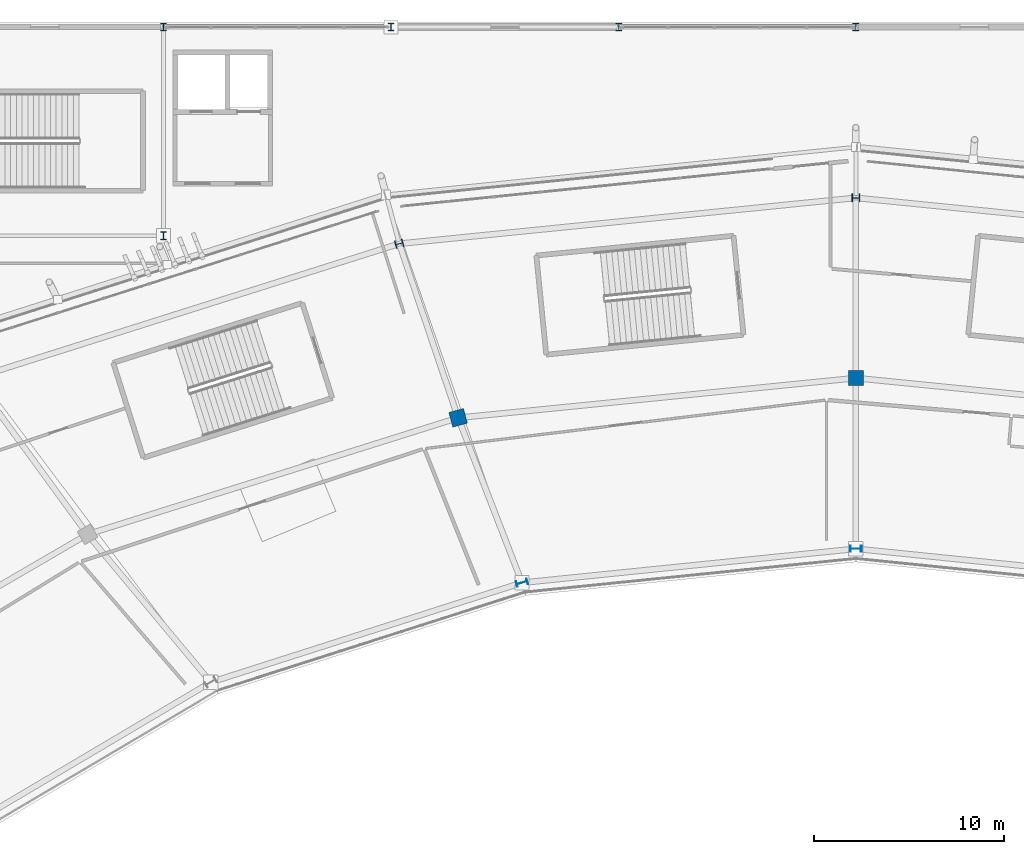
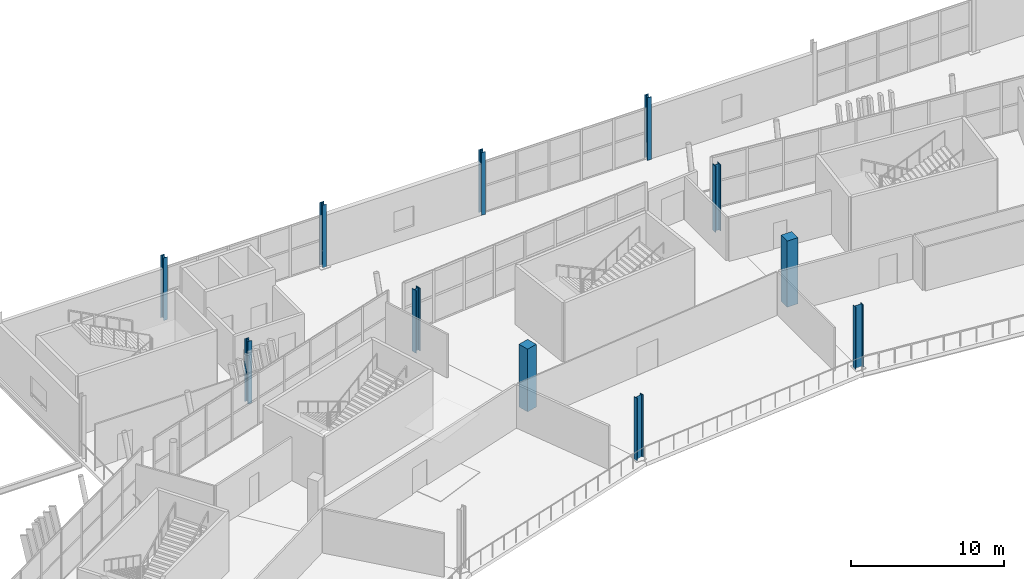
# One storey, part 19 of 179: 11 columns.
"""IFC4 building model written with IfcOpenShell, lengths in metres."""

from ifc_helpers import new_model, si_unit, direction, frame, origin, origin_2d, place, context, subcontext, project, spatial, rectangle, i_section, extrude, material, material_profile, profile_set, type_object, element, save


model = new_model("IFC4")

# Units and contexts
model_context = context("Model", 3, precision=1e-05, world=origin(), true_north=direction((0.0, 1.0)))
body_context = subcontext(model_context, "Body", "Model", "MODEL_VIEW")
ifc_project = project(units=[si_unit("LENGTHUNIT", "METRE"), si_unit("AREAUNIT", "SQUARE_METRE"), si_unit("VOLUMEUNIT", "CUBIC_METRE"), si_unit("PLANEANGLEUNIT", "RADIAN"), si_unit("MASSUNIT", "GRAM", prefix="KILO")], contexts=[model_context])

# Site, building, storey
site_placement = place(None, origin())
site = spatial("IfcSite", under=ifc_project, at=site_placement, CompositionType="ELEMENT")
building_placement = place(site_placement, origin())
building = spatial("IfcBuilding", under=site, at=building_placement, Name="Zlatoyarsky Gate Stadium", CompositionType="ELEMENT")
storey_placement = place(building_placement, frame((0.0, 0.0, 10.60009765625)))
storey = spatial("IfcBuildingStorey", under=building, at=storey_placement, Name="L02", CompositionType="ELEMENT", Elevation=10.60009765625)

# Columns
ifc_material_1 = material(Name="Concrete C40/50", Category="concrete")
ifc_material_profile_1 = material_profile(ifc_material_1, rectangle(XDim=0.800048828125, YDim=0.800048828125, at=origin_2d()), Name="RC COL 800X800")
ifc_profile_set_1 = profile_set([ifc_material_profile_1], Name="Concrete C40/50")
column_type_1 = type_object("IfcColumnType", Name="CONCRETE COLUMN 800X800", PredefinedType="COLUMN", material=ifc_profile_set_1)
column_1_placement = place(storey_placement, frame((111.0, 141.5, -0.280029296875), z_axis=(0.0, 0.0, 1.0), x_axis=(0.0, 1.0, 0.0)))
element("IfcColumn", 1, at=column_1_placement, inside=storey, type_object=column_type_1, Name="Column RC-C80 RB-06 on L02", PredefinedType="COLUMN", context=body_context, shape_type="SweptSolid", body=[
    extrude(rectangle(XDim=0.800048828125, YDim=0.800048828125, at=origin_2d()), origin(), (0.0, 0.0, 1.0), 5.280029296875),
])
column_2_placement = place(storey_placement, frame((90.03564453125, 139.404296875, 0.0), z_axis=(0.0, 0.0, 1.0), x_axis=(-0.258819045103, 0.965925826289, 0.0)))
element("IfcColumn", 2, at=column_2_placement, inside=storey, type_object=column_type_1, Name="Column RC-C80 RB-07 on L02", PredefinedType="COLUMN", context=body_context, shape_type="SweptSolid", body=[
    extrude(rectangle(XDim=0.800048828125, YDim=0.800048828125, at=origin_2d()), origin(), (0.0, 0.0, 1.0), 5.0),
])
ifc_material_2 = material(Name="Steel S355", Category="steel")
ifc_material_profile_2 = material_profile(ifc_material_2, i_section(OverallWidth=0.300048828125, OverallDepth=0.39990234375, WebThickness=0.013427734375, FlangeThickness=0.02392578125, FilletRadius=0.027099609375, at=origin_2d()), Name="HEB 400")
ifc_profile_set_2 = profile_set([ifc_material_profile_2], Name="Steel S355")
column_type_2 = type_object("IfcColumnType", Name="STEEL COLUMN HEB 400", PredefinedType="COLUMN", material=ifc_profile_set_2)
for number, where, z_axis, x_axis, name in (
    (3, (111.0, 160.0, 0.0), (0.0, 0.0, 1.0), (1.0, 0.0, 0.0), "Column ST-C400 WG-10-Q on L02"),
    (4, (74.5, 149.0, 0.0), (0.0, 0.0, 1.0), (1.0, 0.0, 0.0), "Column ST-C400 WG-7-P on L02"),
    (5, (74.5, 160.0, 0.0), (0.0, 0.0, 1.0), (1.0, 0.0, 0.0), "Column ST-C400 WG-7-Q on L02"),
    (6, (86.5, 160.0, 0.0), (0.0, 0.0, 1.0), (1.0, 0.0, 0.0), "Column ST-C400 WG-8-Q on L02"),
    (7, (98.5, 160.0, 0.0), (0.0, 0.0, 1.0), (1.0, 0.0, 0.0), "Column ST-C400 WG-9-Q on L02"),
):
    element("IfcColumn", number, at=place(storey_placement, frame(where, z_axis=z_axis, x_axis=x_axis)), inside=storey, type_object=column_type_2, Name=name, PredefinedType="COLUMN", context=body_context, shape_type="SweptSolid", body=[
        extrude(i_section(OverallWidth=0.300048828125, OverallDepth=0.39990234375, WebThickness=0.013427734375, FlangeThickness=0.02392578125, FilletRadius=0.027099609375, at=origin_2d()), origin(), (0.0, 0.0, 1.0), 5.0),
    ])
ifc_material_profile_3 = material_profile(ifc_material_2, i_section(OverallWidth=0.300048828125, OverallDepth=0.60009765625, WebThickness=0.015380859375, FlangeThickness=0.030029296875, FilletRadius=0.027099609375, at=origin_2d()), Name="HEB 600")
ifc_profile_set_3 = profile_set([ifc_material_profile_3], Name="Steel S355")
column_type_3 = type_object("IfcColumnType", Name="STEEL COLUMN HEB 600", PredefinedType="COLUMN", material=ifc_profile_set_3)
for number, where, z_axis, x_axis, name in (
    (8, (111.0, 132.5, 0.0), (0.0, 0.0, 1.0), (0.0, 1.0, 0.0), "Column ST-C600 RA-06 on L02"),
    (9, (93.400390625, 130.711181640625, 0.0), (0.0, 0.0, 1.0), (-0.258819045103, 0.965925826289, 0.0), "Column ST-C600 RA-07 on L02"),
):
    element("IfcColumn", number, at=place(storey_placement, frame(where, z_axis=z_axis, x_axis=x_axis)), inside=storey, type_object=column_type_3, Name=name, PredefinedType="COLUMN", context=body_context, shape_type="SweptSolid", body=[
        extrude(i_section(OverallWidth=0.300048828125, OverallDepth=0.60009765625, WebThickness=0.015380859375, FlangeThickness=0.030029296875, FilletRadius=0.027099609375, at=origin_2d()), origin(), (0.0, 0.0, 1.0), 5.0),
    ])
ifc_material_profile_4 = material_profile(ifc_material_2, i_section(OverallWidth=0.406005859375, OverallDepth=0.416015625, WebThickness=0.02392578125, FlangeThickness=0.0390625, FilletRadius=0.014892578125, at=origin_2d()), Name="HD 400X382")
ifc_profile_set_4 = profile_set([ifc_material_profile_4], Name="Steel S355")
column_type_4 = type_object("IfcColumnType", Name="STEEL PORTAL PILASTER HD 400X382", PredefinedType="PILASTER", material=ifc_profile_set_4)
column_3_placement = place(storey_placement, frame((111.0, 151.0, -0.280029296875), z_axis=(0.0, 0.0, 1.0), x_axis=(0.0, 1.0, 0.0)))
element("IfcColumn", 10, at=column_3_placement, inside=storey, type_object=column_type_4, Name="Column ST-CHD RC-06 on L02", PredefinedType="PILASTER", context=body_context, shape_type="SweptSolid", body=[
    extrude(i_section(OverallWidth=0.406005859375, OverallDepth=0.416015625, WebThickness=0.02392578125, FlangeThickness=0.0390625, FilletRadius=0.014892578125, at=origin_2d()), origin(), (0.0, 0.0, 1.0), 5.280029296875),
])
column_4_placement = place(storey_placement, frame((86.9296875, 148.580810546875, 0.0), z_axis=(0.0, 0.0, 1.0), x_axis=(-0.258819045103, 0.965925826289, 0.0)))
element("IfcColumn", 11, at=column_4_placement, inside=storey, type_object=column_type_4, Name="Column ST-CHD RC-07 on L02", PredefinedType="PILASTER", context=body_context, shape_type="SweptSolid", body=[
    extrude(i_section(OverallWidth=0.406005859375, OverallDepth=0.416015625, WebThickness=0.02392578125, FlangeThickness=0.0390625, FilletRadius=0.014892578125, at=origin_2d()), origin(), (0.0, 0.0, 1.0), 5.0),
])

save(model, "model.ifc")
